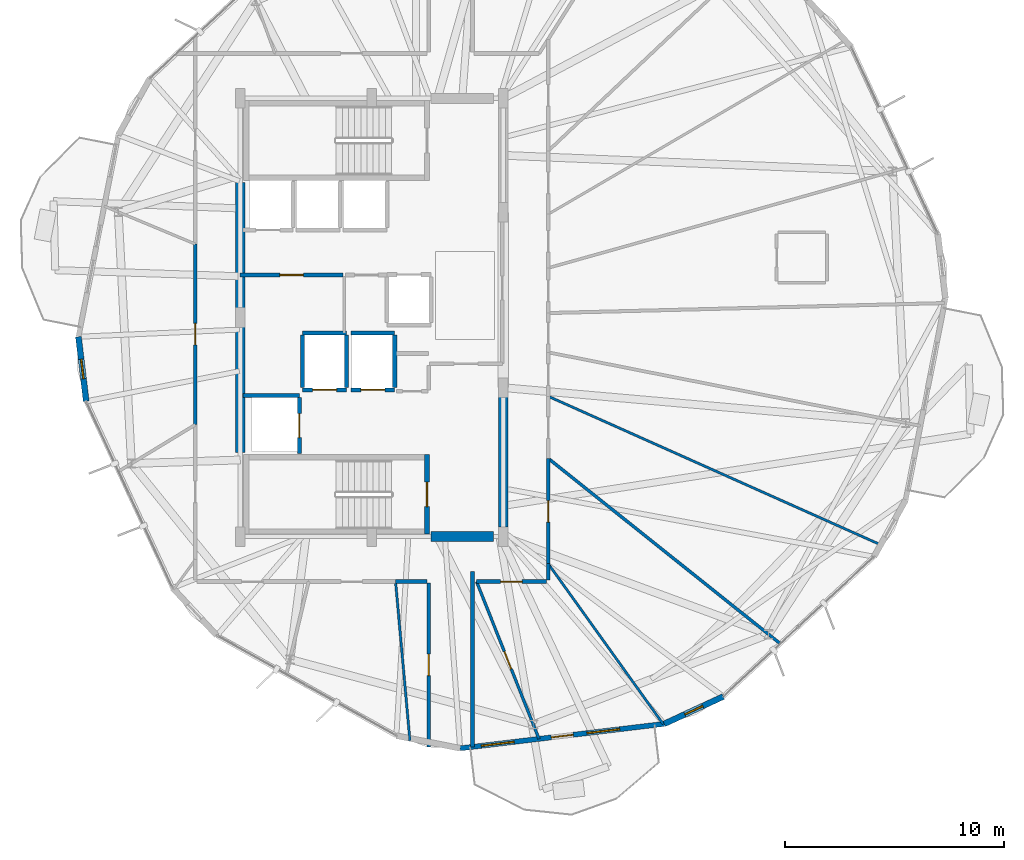
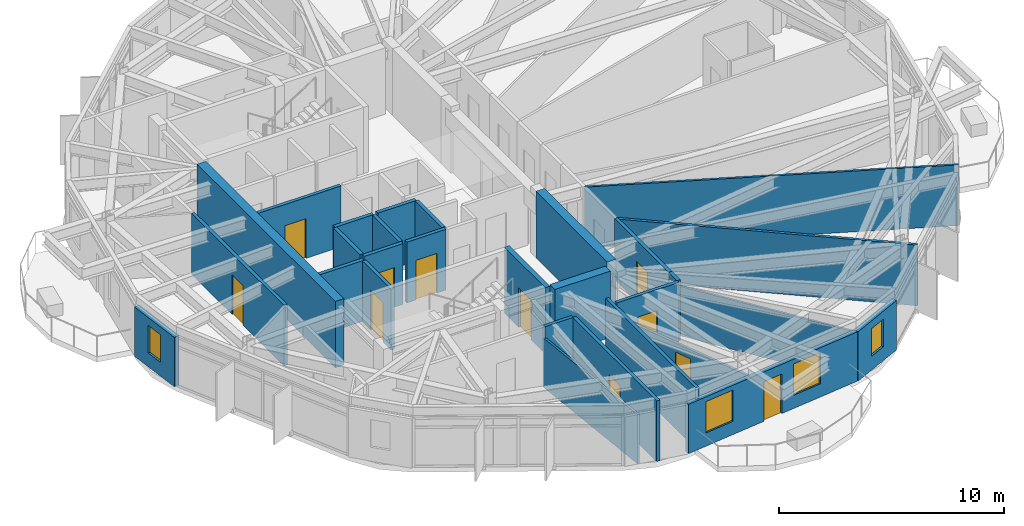
# One storey, part 19 of 25: 29 walls, 11 doors, 4 windows, 15 openings.
"""IFC4 building model written with IfcOpenShell, lengths in metres."""

from ifc_helpers import new_model, si_unit, direction, frame, frame_2d, origin, place, context, subcontext, project, spatial, rectangle, extrude, material, layer, layer_set, type_object, element, fill, save


model = new_model("IFC4")

# Units and contexts
model_context = context("Model", 3, precision=1e-05, world=origin(), true_north=direction((0.0, 1.0)))
body_context = subcontext(model_context, "Body", "Model", "MODEL_VIEW")
ifc_project = project(units=[si_unit("LENGTHUNIT", "METRE"), si_unit("AREAUNIT", "SQUARE_METRE"), si_unit("VOLUMEUNIT", "CUBIC_METRE"), si_unit("PLANEANGLEUNIT", "RADIAN"), si_unit("MASSUNIT", "GRAM", prefix="KILO")], contexts=[model_context])

# Site, building, storey
site_placement = place(None, origin())
site = spatial("IfcSite", under=ifc_project, at=site_placement, CompositionType="ELEMENT")
building_placement = place(site_placement, origin())
building = spatial("IfcBuilding", under=site, at=building_placement, Name="Soratama Intermodal Tower", CompositionType="ELEMENT")
storey_placement = place(building_placement, frame((0.0, 0.0, 190.60009765625)))
storey = spatial("IfcBuildingStorey", under=building, at=storey_placement, Name="L47", CompositionType="ELEMENT", Elevation=190.60009765625)

# Wall, openings, door, windows
ifc_material_1 = material(Name="Concrete f'c 42 MPa", Category="concrete")
ifc_layer_1 = layer(ifc_material_1, 0.22998046875)
ifc_layer_set_1 = layer_set([ifc_layer_1], Name="Concrete f'c 42 MPa")
wall_type_1 = type_object("IfcWallType", Name="EW-BAL-230", PredefinedType="SOLIDWALL", material=ifc_layer_set_1)
wall_1_placement = place(storey_placement, frame((42.633544921875, 5.340576171875, 0.0), z_axis=(0.0, 0.0, 1.0), x_axis=(0.992882132133, 0.119101098615, 0.0)))
wall_1 = element("IfcWall", 1, at=wall_1_placement, inside=storey, type_object=wall_type_1, Name="L47 Terrace Wall F07", PredefinedType="SOLIDWALL", context=body_context, shape_type="SweptSolid", body=[
    extrude(rectangle(XDim=9.38232421875, YDim=0.22998046875, at=frame_2d((4.691162109375, 0.0))), origin(), (0.0, 0.0, 1.0), 2.678955078125),
])
opening_1_placement = place(wall_1_placement, frame((4.191162109375, 0.0, 0.0)))
opening_1 = element("IfcOpeningElement", 2, at=opening_1_placement, cuts=wall_1, Name="Opening ED-2", PredefinedType="OPENING", context=body_context, shape_type="SweptSolid", body=[
    extrude(rectangle(XDim=1.0, YDim=2.14990234375, at=frame_2d((0.5, 1.074951171875))), frame((0.0, 0.125, 0.0), z_axis=(0.0, -1.0, 0.0), x_axis=(1.0, 0.0, 0.0)), (0.0, 0.0, 1.0), 0.25),
])
opening_2_placement = place(wall_1_placement, frame((0.97705078125, 0.0, 0.719970703125)))
opening_2 = element("IfcOpeningElement", 3, at=opening_2_placement, cuts=wall_1, Name="Opening WN-1", PredefinedType="OPENING", context=body_context, shape_type="SweptSolid", body=[
    extrude(rectangle(XDim=1.5, YDim=1.699951171875, at=frame_2d((0.75, 0.85009765625))), frame((0.0, 0.125, 0.0), z_axis=(0.0, -1.0, 0.0), x_axis=(1.0, 0.0, 0.0)), (0.0, 0.0, 1.0), 0.25),
])
opening_3_placement = place(wall_1_placement, frame((5.8310546875, 0.0, 0.719970703125)))
opening_3 = element("IfcOpeningElement", 4, at=opening_3_placement, cuts=wall_1, Name="Opening WN-1", PredefinedType="OPENING", context=body_context, shape_type="SweptSolid", body=[
    extrude(rectangle(XDim=1.5, YDim=1.699951171875, at=frame_2d((0.75, 0.85009765625))), frame((0.0, 0.125, 0.0), z_axis=(0.0, -1.0, 0.0), x_axis=(1.0, 0.0, 0.0)), (0.0, 0.0, 1.0), 0.25),
])
ifc_material_2 = material(Name="Double-glazed aluminium door", Category="aluminium")
door_type_1 = type_object("IfcDoorType", Name="DR-BAL-1000", OperationType="NOTDEFINED", PredefinedType="DOOR", material=ifc_material_2)
door_1_placement = place(opening_1_placement, origin())
door_1 = element("IfcDoor", 5, at=door_1_placement, inside=storey, type_object=door_type_1, Name="L47 Balcony Door F07", OperationType="SINGLE_SWING_LEFT", OverallHeight=2.14990234375, OverallWidth=1.0, PredefinedType="DOOR", context=body_context, shape_type="SweptSolid", body=[
    extrude(rectangle(XDim=1.0, YDim=2.14990234375, at=frame_2d((0.5, 1.074951171875))), frame((0.0, 0.02490234375, 0.0), z_axis=(0.0, -1.0, 0.0), x_axis=(1.0, 0.0, 0.0)), (0.0, 0.0, 1.0), 0.050048828125),
])
fill(opening_1, door_1)
ifc_material_3 = material(Name="Double-glazed aluminium window", Category="aluminium")
window_type_1 = type_object("IfcWindowType", Name="WN-FAC-1500", PartitioningType="SINGLE_PANEL", PredefinedType="WINDOW", material=ifc_material_3)
window_1_placement = place(opening_2_placement, origin())
window_1 = element("IfcWindow", 6, at=window_1_placement, inside=storey, type_object=window_type_1, Name="L47 Window A F07", OverallHeight=1.699951171875, OverallWidth=1.5, PartitioningType="SINGLE_PANEL", PredefinedType="WINDOW", context=body_context, shape_type="SweptSolid", body=[
    extrude(rectangle(XDim=1.5, YDim=1.699951171875, at=frame_2d((0.75, 0.85009765625))), frame((0.0, 0.030029296875, 0.0), z_axis=(0.0, -1.0, 0.0), x_axis=(1.0, 0.0, 0.0)), (0.0, 0.0, 1.0), 0.06005859375),
])
fill(opening_2, window_1)
window_2_placement = place(opening_3_placement, origin())
window_2 = element("IfcWindow", 7, at=window_2_placement, inside=storey, type_object=window_type_1, Name="L47 Window B F07", OverallHeight=1.699951171875, OverallWidth=1.5, PartitioningType="SINGLE_PANEL", PredefinedType="WINDOW", context=body_context, shape_type="SweptSolid", body=[
    extrude(rectangle(XDim=1.5, YDim=1.699951171875, at=frame_2d((0.75, 0.85009765625))), frame((0.0, 0.030029296875, 0.0), z_axis=(0.0, -1.0, 0.0), x_axis=(1.0, 0.0, 0.0)), (0.0, 0.0, 1.0), 0.06005859375),
])
fill(opening_3, window_2)

# Wall, opening, window
ifc_material_4 = material(Name="Concrete f'c 42 MPa", Category="concrete")
ifc_layer_2 = layer(ifc_material_4, 0.27001953125)
ifc_layer_set_2 = layer_set([ifc_layer_2], Name="Concrete f'c 42 MPa")
wall_type_2 = type_object("IfcWallType", Name="EW-CRN-270", PredefinedType="SOLIDWALL", material=ifc_layer_set_2)
wall_2_placement = place(storey_placement, frame((25.218017578125, 24.12109375, 0.0), z_axis=(0.0, 0.0, 1.0), x_axis=(0.119080319242, -0.9928846245, 0.0)))
wall_2 = element("IfcWall", 8, at=wall_2_placement, inside=storey, type_object=wall_type_2, Name="L47 Corner Closure Wall 04", PredefinedType="SOLIDWALL", context=body_context, shape_type="SweptSolid", body=[
    extrude(rectangle(XDim=2.966552734375, YDim=0.27001953125, at=frame_2d((1.4833984375, 0.0))), origin(), (0.0, 0.0, 1.0), 2.678955078125),
])
opening_4_placement = place(wall_2_placement, frame((1.033203125, 0.0, 0.75)))
opening_4 = element("IfcOpeningElement", 9, at=opening_4_placement, cuts=wall_2, Name="Opening WN-6", PredefinedType="OPENING", context=body_context, shape_type="SweptSolid", body=[
    extrude(rectangle(XDim=0.89990234375, YDim=1.5, at=frame_2d((0.449951171875, 0.75))), frame((0.0, 0.14501953125, 0.0), z_axis=(0.0, -1.0, 0.0), x_axis=(1.0, 0.0, 0.0)), (0.0, 0.0, 1.0), 0.2900390625),
])
ifc_material_5 = material(Name="Double-glazed aluminium window", Category="aluminium")
window_type_2 = type_object("IfcWindowType", Name="WN-FAC-900", PartitioningType="SINGLE_PANEL", PredefinedType="WINDOW", material=ifc_material_5)
window_3_placement = place(opening_4_placement, origin())
window_3 = element("IfcWindow", 10, at=window_3_placement, inside=storey, type_object=window_type_2, Name="L47 Corner Window 04", OverallHeight=1.5, OverallWidth=0.89990234375, PartitioningType="SINGLE_PANEL", PredefinedType="WINDOW", context=body_context, shape_type="SweptSolid", body=[
    extrude(rectangle(XDim=0.89990234375, YDim=1.5, at=frame_2d((0.449951171875, 0.75))), frame((0.0, 0.030029296875, 0.0), z_axis=(0.0, -1.0, 0.0), x_axis=(1.0, 0.0, 0.0)), (0.0, 0.0, 1.0), 0.06005859375),
])
fill(opening_4, window_3)

wall_3_placement = place(storey_placement, frame((51.948974609375, 6.4580078125, 0.0), z_axis=(0.0, 0.0, 1.0), x_axis=(0.907501185291, 0.420049519337, 0.0)))
wall_3 = element("IfcWall", 11, at=wall_3_placement, inside=storey, type_object=wall_type_2, Name="L47 Corner Closure Wall 07", PredefinedType="SOLIDWALL", context=body_context, shape_type="SweptSolid", body=[
    extrude(rectangle(XDim=2.966552734375, YDim=0.27001953125, at=frame_2d((1.4833984375, 0.0))), origin(), (0.0, 0.0, 1.0), 2.678955078125),
])
opening_5_placement = place(wall_3_placement, frame((1.033203125, 0.0, 0.75)))
opening_5 = element("IfcOpeningElement", 12, at=opening_5_placement, cuts=wall_3, Name="Opening WN-6", PredefinedType="OPENING", context=body_context, shape_type="SweptSolid", body=[
    extrude(rectangle(XDim=0.89990234375, YDim=1.5, at=frame_2d((0.449951171875, 0.75))), frame((0.0, 0.14501953125, 0.0), z_axis=(0.0, -1.0, 0.0), x_axis=(1.0, 0.0, 0.0)), (0.0, 0.0, 1.0), 0.2900390625),
])
window_4_placement = place(opening_5_placement, origin())
window_4 = element("IfcWindow", 13, at=window_4_placement, inside=storey, type_object=window_type_2, Name="L47 Corner Window 07", OverallHeight=1.5, OverallWidth=0.89990234375, PartitioningType="SINGLE_PANEL", PredefinedType="WINDOW", context=body_context, shape_type="SweptSolid", body=[
    extrude(rectangle(XDim=0.89990234375, YDim=1.5, at=frame_2d((0.449951171875, 0.75))), frame((0.0, 0.030029296875, 0.0), z_axis=(0.0, -1.0, 0.0), x_axis=(1.0, 0.0, 0.0)), (0.0, 0.0, 1.0), 0.06005859375),
])
fill(opening_5, window_4)

# Wall, opening, door
ifc_material_6 = material(Name="Fire-rated gypsum stud partition", Category="concrete")
ifc_layer_3 = layer(ifc_material_6, 0.169921875)
ifc_layer_set_3 = layer_set([ifc_layer_3], Name="Fire-rated gypsum stud partition")
wall_type_3 = type_object("IfcWallType", Name="IW-PART-R170", PredefinedType="PARTITIONING", material=ifc_layer_set_3)
wall_4_placement = place(storey_placement, frame((30.550048828125, 20.10595703125, 0.0), z_axis=(0.0, 0.0, 1.0), x_axis=(0.0, 1.0, 0.0)))
wall_4 = element("IfcWall", 14, at=wall_4_placement, inside=storey, type_object=wall_type_3, Name="L47 Partition W-L47-TP010", PredefinedType="PARTITIONING", context=body_context, shape_type="SweptSolid", body=[
    extrude(rectangle(XDim=8.2451171875, YDim=0.169921875, at=frame_2d((4.12255859375, 0.0))), origin(), (0.0, 0.0, 1.0), 3.2998046875),
])
opening_6_placement = place(wall_4_placement, frame((3.64697265625, 0.0, 0.0)))
opening_6 = element("IfcOpeningElement", 15, at=opening_6_placement, cuts=wall_4, Name="Opening ID-5", PredefinedType="OPENING", context=body_context, shape_type="SweptSolid", body=[
    extrude(rectangle(XDim=0.97998046875, YDim=2.14990234375, at=frame_2d((0.489990234375, 1.074951171875))), frame((0.0, 0.094970703125, 0.0), z_axis=(0.0, -1.0, 0.0), x_axis=(1.0, 0.0, 0.0)), (0.0, 0.0, 1.0), 0.18994140625),
])
ifc_material_7 = material(Name="Solid hardwood acoustic door", Category="wood")
door_type_2 = type_object("IfcDoorType", Name="DR-OFF-980", OperationType="NOTDEFINED", PredefinedType="DOOR", material=ifc_material_7)
door_2_placement = place(opening_6_placement, origin())
door_2 = element("IfcDoor", 16, at=door_2_placement, inside=storey, type_object=door_type_2, Name="L47 Door D-L47-TP002", OperationType="SINGLE_SWING_LEFT", OverallHeight=2.14990234375, OverallWidth=0.97998046875, PredefinedType="DOOR", context=body_context, shape_type="SweptSolid", body=[
    extrude(rectangle(XDim=0.97998046875, YDim=2.14990234375, at=frame_2d((0.489990234375, 1.074951171875))), frame((0.0, 0.02490234375, 0.0), z_axis=(0.0, -1.0, 0.0), x_axis=(1.0, 0.0, 0.0)), (0.0, 0.0, 1.0), 0.050048828125),
])
fill(opening_6, door_2)

wall_5_placement = place(storey_placement, frame((41.199951171875, 5.39501953125, 0.0), z_axis=(0.0, 0.0, 1.0), x_axis=(0.0, 1.0, 0.0)))
wall_5 = element("IfcWall", 17, at=wall_5_placement, inside=storey, type_object=wall_type_3, Name="L47 Partition W-L47-TP013", PredefinedType="PARTITIONING", context=body_context, shape_type="SweptSolid", body=[
    extrude(rectangle(XDim=7.48486328125, YDim=0.169921875, at=frame_2d((3.742431640625, 0.0))), origin(), (0.0, 0.0, 1.0), 3.2998046875),
])
opening_7_placement = place(wall_5_placement, frame((3.26806640625, 0.0, 0.0)))
opening_7 = element("IfcOpeningElement", 18, at=opening_7_placement, cuts=wall_5, Name="Opening ID-5", PredefinedType="OPENING", context=body_context, shape_type="SweptSolid", body=[
    extrude(rectangle(XDim=0.97998046875, YDim=2.14990234375, at=frame_2d((0.489990234375, 1.074951171875))), frame((0.0, 0.094970703125, 0.0), z_axis=(0.0, -1.0, 0.0), x_axis=(1.0, 0.0, 0.0)), (0.0, 0.0, 1.0), 0.18994140625),
])
door_3_placement = place(opening_7_placement, origin())
door_3 = element("IfcDoor", 19, at=door_3_placement, inside=storey, type_object=door_type_2, Name="L47 Door D-L47-TP003", OperationType="SINGLE_SWING_RIGHT", OverallHeight=2.14990234375, OverallWidth=0.97998046875, PredefinedType="DOOR", context=body_context, shape_type="SweptSolid", body=[
    extrude(rectangle(XDim=0.97998046875, YDim=2.14990234375, at=frame_2d((0.489990234375, 1.074951171875))), frame((0.0, 0.02490234375, 0.0), z_axis=(0.0, -1.0, 0.0), x_axis=(1.0, 0.0, 0.0)), (0.0, 0.0, 1.0), 0.050048828125),
])
fill(opening_7, door_3)

wall_6_placement = place(storey_placement, frame((46.64990234375, 18.572998046875, 0.0), z_axis=(0.0, 0.0, 1.0), x_axis=(0.0, -1.0, 0.0)))
wall_6 = element("IfcWall", 20, at=wall_6_placement, inside=storey, type_object=wall_type_3, Name="L47 Partition W-L47-TP022", PredefinedType="PARTITIONING", context=body_context, shape_type="SweptSolid", body=[
    extrude(rectangle(XDim=4.803955078125, YDim=0.169921875, at=frame_2d((2.40185546875, 0.0))), origin(), (0.0, 0.0, 1.0), 3.2998046875),
])
opening_8_placement = place(wall_6_placement, frame((1.927001953125, 0.0, 0.0)))
opening_8 = element("IfcOpeningElement", 21, at=opening_8_placement, cuts=wall_6, Name="Opening ID-5", PredefinedType="OPENING", context=body_context, shape_type="SweptSolid", body=[
    extrude(rectangle(XDim=0.97998046875, YDim=2.14990234375, at=frame_2d((0.489990234375, 1.074951171875))), frame((0.0, 0.094970703125, 0.0), z_axis=(0.0, -1.0, 0.0), x_axis=(1.0, 0.0, 0.0)), (0.0, 0.0, 1.0), 0.18994140625),
])
door_4_placement = place(opening_8_placement, origin())
door_4 = element("IfcDoor", 22, at=door_4_placement, inside=storey, type_object=door_type_2, Name="L47 Door D-L47-TP010", OperationType="SINGLE_SWING_LEFT", OverallHeight=2.14990234375, OverallWidth=0.97998046875, PredefinedType="DOOR", context=body_context, shape_type="SweptSolid", body=[
    extrude(rectangle(XDim=0.97998046875, YDim=2.14990234375, at=frame_2d((0.489990234375, 1.074951171875))), frame((0.0, 0.02490234375, 0.0), z_axis=(0.0, -1.0, 0.0), x_axis=(1.0, 0.0, 0.0)), (0.0, 0.0, 1.0), 0.050048828125),
])
fill(opening_8, door_4)

wall_7_placement = place(storey_placement, frame((37.2900390625, 26.93994140625, 0.0), z_axis=(0.0, 0.0, 1.0), x_axis=(-1.0, 0.0, 0.0)))
wall_7 = element("IfcWall", 23, at=wall_7_placement, inside=storey, type_object=wall_type_3, Name="L47 Partition W-L47-TP023", PredefinedType="PARTITIONING", context=body_context, shape_type="SweptSolid", body=[
    extrude(rectangle(XDim=4.68994140625, YDim=0.169921875, at=frame_2d((2.344970703125, 0.0))), origin(), (0.0, 0.0, 1.0), 3.2998046875),
])
opening_9_placement = place(wall_7_placement, frame((1.804931640625, 0.0, 0.0)))
opening_9 = element("IfcOpeningElement", 24, at=opening_9_placement, cuts=wall_7, Name="Opening ID-1", PredefinedType="OPENING", context=body_context, shape_type="SweptSolid", body=[
    extrude(rectangle(XDim=1.080078125, YDim=2.14990234375, at=frame_2d((0.5400390625, 1.074951171875))), frame((0.0, 0.094970703125, 0.0), z_axis=(0.0, -1.0, 0.0), x_axis=(1.0, 0.0, 0.0)), (0.0, 0.0, 1.0), 0.18994140625),
])
ifc_material_8 = material(Name="Solid hardwood acoustic door", Category="wood")
door_type_3 = type_object("IfcDoorType", Name="DR-LOB-FD60", OperationType="NOTDEFINED", PredefinedType="DOOR", material=ifc_material_8)
door_5_placement = place(opening_9_placement, origin())
door_5 = element("IfcDoor", 25, at=door_5_placement, inside=storey, type_object=door_type_3, Name="L47 Door D-L47-TP011", OperationType="SINGLE_SWING_RIGHT", OverallHeight=2.14990234375, OverallWidth=1.080078125, PredefinedType="DOOR", context=body_context, shape_type="SweptSolid", body=[
    extrude(rectangle(XDim=1.080078125, YDim=2.14990234375, at=frame_2d((0.5400390625, 1.074951171875))), frame((0.0, 0.02490234375, 0.0), z_axis=(0.0, -1.0, 0.0), x_axis=(1.0, 0.0, 0.0)), (0.0, 0.0, 1.0), 0.050048828125),
])
fill(opening_9, door_5)

wall_8_placement = place(storey_placement, frame((46.580078125, 12.949951171875, 0.0), z_axis=(0.0, 0.0, 1.0), x_axis=(-1.0, 0.0, 0.0)))
wall_8 = element("IfcWall", 26, at=wall_8_placement, inside=storey, type_object=wall_type_3, Name="L47 Partition W-L47-TP031", PredefinedType="PARTITIONING", context=body_context, shape_type="SweptSolid", body=[
    extrude(rectangle(XDim=3.197021484375, YDim=0.169921875, at=frame_2d((1.5986328125, 0.0))), origin(), (0.0, 0.0, 1.0), 3.2998046875),
])
opening_10_placement = place(wall_8_placement, frame((1.123046875, 0.0, 0.0)))
opening_10 = element("IfcOpeningElement", 27, at=opening_10_placement, cuts=wall_8, Name="Opening ID-5", PredefinedType="OPENING", context=body_context, shape_type="SweptSolid", body=[
    extrude(rectangle(XDim=0.97998046875, YDim=2.14990234375, at=frame_2d((0.489990234375, 1.074951171875))), frame((0.0, 0.094970703125, 0.0), z_axis=(0.0, -1.0, 0.0), x_axis=(1.0, 0.0, 0.0)), (0.0, 0.0, 1.0), 0.18994140625),
])
door_6_placement = place(opening_10_placement, origin())
door_6 = element("IfcDoor", 28, at=door_6_placement, inside=storey, type_object=door_type_2, Name="L47 Door D-L47-TP014", OperationType="SINGLE_SWING_LEFT", OverallHeight=2.14990234375, OverallWidth=0.97998046875, PredefinedType="DOOR", context=body_context, shape_type="SweptSolid", body=[
    extrude(rectangle(XDim=0.97998046875, YDim=2.14990234375, at=frame_2d((0.489990234375, 1.074951171875))), frame((0.0, 0.02490234375, 0.0), z_axis=(0.0, -1.0, 0.0), x_axis=(1.0, 0.0, 0.0)), (0.0, 0.0, 1.0), 0.050048828125),
])
fill(opening_10, door_6)

# Walls
wall_9_placement = place(storey_placement, frame((41.1298828125, 12.949951171875, 0.0), z_axis=(0.0, 0.0, 1.0), x_axis=(-1.0, 0.0, 0.0)))
element("IfcWall", 29, at=wall_9_placement, inside=storey, type_object=wall_type_3, Name="L47 Partition W-L47-TP046", PredefinedType="PARTITIONING", context=body_context, shape_type="SweptSolid", body=[
    extrude(rectangle(XDim=1.44287109375, YDim=0.169921875, at=frame_2d((0.721435546875, 0.0))), origin(), (0.0, 0.0, 1.0), 3.2998046875),
])
wall_10_placement = place(storey_placement, frame((46.64990234375, 13.76904296875, 0.0), z_axis=(0.0, 0.0, 1.0), x_axis=(0.0, -1.0, 0.0)))
element("IfcWall", 30, at=wall_10_placement, inside=storey, type_object=wall_type_3, Name="L47 Partition W-L47-TP050", PredefinedType="PARTITIONING", context=body_context, shape_type="SweptSolid", body=[
    extrude(rectangle(XDim=0.7490234375, YDim=0.169921875, at=frame_2d((0.37451171875, 0.0))), origin(), (0.0, 0.0, 1.0), 3.2998046875),
])
wall_11_placement = place(storey_placement, frame((43.199951171875, 13.410888671875, 0.0), z_axis=(0.0, 0.0, 1.0), x_axis=(0.0, -1.0, 0.0)))
element("IfcWall", 31, at=wall_11_placement, inside=storey, type_object=wall_type_3, Name="L47 Partition W-L47-TP051", PredefinedType="PARTITIONING", context=body_context, shape_type="SweptSolid", body=[
    extrude(rectangle(XDim=8.0029296875, YDim=0.169921875, at=frame_2d((4.00146484375, 0.0))), origin(), (0.0, 0.0, 1.0), 3.2998046875),
])
ifc_material_9 = material(Name="Fire-rated gypsum stud partition", Category="concrete")
ifc_layer_4 = layer(ifc_material_9, 0.110107421875)
ifc_layer_set_4 = layer_set([ifc_layer_4], Name="Fire-rated gypsum stud partition")
wall_type_4 = type_object("IfcWallType", Name="IW-PART-S110", PredefinedType="PARTITIONING", material=ifc_layer_set_4)
wall_12_placement = place(storey_placement, frame((46.64990234375, 21.405029296875, 0.0), z_axis=(0.0, 0.0, 1.0), x_axis=(0.913073615339, -0.4077947682, 0.0)))
element("IfcWall", 32, at=wall_12_placement, inside=storey, type_object=wall_type_4, Name="L47 Partition W-L47-TP004", PredefinedType="PARTITIONING", context=body_context, shape_type="SweptSolid", body=[
    extrude(rectangle(XDim=16.719482421875, YDim=0.110107421875, at=frame_2d((8.35986328125, 0.0))), origin(), (0.0, 0.0, 1.0), 3.2998046875),
])
wall_13_placement = place(storey_placement, frame((46.64990234375, 13.76904296875, 0.0), z_axis=(0.0, 0.0, 1.0), x_axis=(0.582553277152, -0.812792519207, 0.0)))
element("IfcWall", 33, at=wall_13_placement, inside=storey, type_object=wall_type_4, Name="L47 Partition W-L47-TP009", PredefinedType="PARTITIONING", context=body_context, shape_type="SweptSolid", body=[
    extrude(rectangle(XDim=9.003662109375, YDim=0.110107421875, at=frame_2d((4.501953125, 0.0))), origin(), (0.0, 0.0, 1.0), 2.677978515625),
])
wall_14_placement = place(storey_placement, frame((39.68701171875, 12.949951171875, 0.0), z_axis=(0.0, 0.0, 1.0), x_axis=(0.089835321786, -0.995956633072, 0.0)))
element("IfcWall", 34, at=wall_14_placement, inside=storey, type_object=wall_type_4, Name="L47 Partition W-L47-TP014", PredefinedType="PARTITIONING", context=body_context, shape_type="SweptSolid", body=[
    extrude(rectangle(XDim=7.29150390625, YDim=0.110107421875, at=frame_2d((3.645751953125, 0.0))), origin(), (0.0, 0.0, 1.0), 2.677978515625),
])

# Wall, opening, door
ifc_material_10 = material(Name="Fire-rated gypsum stud partition", Category="concrete")
ifc_layer_5 = layer(ifc_material_10, 0.1298828125)
ifc_layer_set_5 = layer_set([ifc_layer_5], Name="Fire-rated gypsum stud partition")
wall_type_5 = type_object("IfcWallType", Name="IW-PART-S130", PredefinedType="PARTITIONING", material=ifc_layer_set_5)
wall_15_placement = place(storey_placement, frame((43.383056640625, 12.949951171875, 0.0), z_axis=(0.0, 0.0, 1.0), x_axis=(0.3688984108, -0.929469721136, 0.0)))
wall_15 = element("IfcWall", 35, at=wall_15_placement, inside=storey, type_object=wall_type_5, Name="L47 Partition W-L47-TP012", PredefinedType="PARTITIONING", context=body_context, shape_type="SweptSolid", body=[
    extrude(rectangle(XDim=7.72265625, YDim=0.1298828125, at=frame_2d((3.861328125, 0.0))), origin(), (0.0, 0.0, 1.0), 2.594970703125),
])
opening_11_placement = place(wall_15_placement, frame((3.43603515625, 0.0, 0.0)))
opening_11 = element("IfcOpeningElement", 36, at=opening_11_placement, cuts=wall_15, Name="Opening ID-4", PredefinedType="OPENING", context=body_context, shape_type="SweptSolid", body=[
    extrude(rectangle(XDim=0.85009765625, YDim=2.10009765625, at=frame_2d((0.425048828125, 1.050048828125))), frame((0.0, 0.074951171875, 0.0), z_axis=(0.0, -1.0, 0.0), x_axis=(1.0, 0.0, 0.0)), (0.0, 0.0, 1.0), 0.14990234375),
])
ifc_material_11 = material(Name="Solid hardwood acoustic door", Category="wood")
door_type_4 = type_object("IfcDoorType", Name="DR-BATH-850", OperationType="NOTDEFINED", PredefinedType="DOOR", material=ifc_material_11)
door_7_placement = place(opening_11_placement, origin())
door_7 = element("IfcDoor", 37, at=door_7_placement, inside=storey, type_object=door_type_4, Name="L47 Door D-L47-TP024", OperationType="SINGLE_SWING_LEFT", OverallHeight=2.10009765625, OverallWidth=0.85009765625, PredefinedType="DOOR", context=body_context, shape_type="SweptSolid", body=[
    extrude(rectangle(XDim=0.85009765625, YDim=2.10009765625, at=frame_2d((0.425048828125, 1.050048828125))), frame((0.0, 0.02490234375, 0.0), z_axis=(0.0, -1.0, 0.0), x_axis=(1.0, 0.0, 0.0)), (0.0, 0.0, 1.0), 0.050048828125),
])
fill(opening_11, door_7)

# Wall
ifc_material_12 = material(Name="Fire-rated gypsum stud partition", Category="concrete")
ifc_layer_6 = layer(ifc_material_12, 0.139892578125)
ifc_layer_set_6 = layer_set([ifc_layer_6], Name="Fire-rated gypsum stud partition")
wall_type_6 = type_object("IfcWallType", Name="IW-PART-S140", PredefinedType="PARTITIONING", material=ifc_layer_set_6)
wall_16_placement = place(storey_placement, frame((46.64990234375, 18.572998046875, 0.0), z_axis=(0.0, 0.0, 1.0), x_axis=(0.781465935212, -0.623947908165, 0.0)))
element("IfcWall", 38, at=wall_16_placement, inside=storey, type_object=wall_type_6, Name="L47 Partition W-L47-TP006", PredefinedType="PARTITIONING", context=body_context, shape_type="SweptSolid", body=[
    extrude(rectangle(XDim=13.553955078125, YDim=0.139892578125, at=frame_2d((6.77685546875, 0.0))), origin(), (0.0, 0.0, 1.0), 3.2998046875),
])

# Wall, opening, door
ifc_material_13 = material(Name="Concrete f'c 42 MPa", Category="concrete")
ifc_layer_7 = layer(ifc_material_13, 0.18505859375)
ifc_layer_set_7 = layer_set([ifc_layer_7], Name="Concrete f'c 42 MPa")
wall_type_7 = type_object("IfcWallType", Name="IW-SHAFT-185", PredefinedType="SOLIDWALL", material=ifc_layer_set_7)
wall_17_placement = place(storey_placement, frame((35.449951171875, 21.699951171875, 0.0), z_axis=(0.0, 0.0, 1.0), x_axis=(1.0, 0.0, 0.0)))
wall_17 = element("IfcWall", 39, at=wall_17_placement, inside=storey, type_object=wall_type_7, Name="L47 FFL-1 Hoistway Wall S", PredefinedType="SOLIDWALL", context=body_context, shape_type="SweptSolid", body=[
    extrude(rectangle(XDim=2.0, YDim=0.18505859375, at=frame_2d((1.0, 0.0))), origin(), (0.0, 0.0, 1.0), 3.2998046875),
])
opening_12_placement = place(wall_17_placement, frame((0.449951171875, 0.0, 0.0)))
opening_12 = element("IfcOpeningElement", 40, at=opening_12_placement, cuts=wall_17, Name="Opening LD-1", PredefinedType="OPENING", context=body_context, shape_type="SweptSolid", body=[
    extrude(rectangle(XDim=1.10009765625, YDim=2.14990234375, at=frame_2d((0.550048828125, 1.074951171875))), frame((0.0, 0.1025390625, 0.0), z_axis=(0.0, -1.0, 0.0), x_axis=(1.0, 0.0, 0.0)), (0.0, 0.0, 1.0), 0.205078125),
])
ifc_material_14 = material(Name="Steel fire door", Category="steel")
door_type_5 = type_object("IfcDoorType", Name="DR-LIFT-SLIDE", OperationType="NOTDEFINED", PredefinedType="DOOR", material=ifc_material_14)
door_8_placement = place(opening_12_placement, origin())
door_8 = element("IfcDoor", 41, at=door_8_placement, inside=storey, type_object=door_type_5, Name="L47 FFL-1 Sliding Landing Door", OperationType="SLIDING_TO_LEFT", OverallHeight=2.14990234375, OverallWidth=1.10009765625, PredefinedType="DOOR", context=body_context, shape_type="SweptSolid", body=[
    extrude(rectangle(XDim=1.10009765625, YDim=2.14990234375, at=frame_2d((0.550048828125, 1.074951171875))), frame((0.0, 0.02490234375, 0.0), z_axis=(0.0, -1.0, 0.0), x_axis=(1.0, 0.0, 0.0)), (0.0, 0.0, 1.0), 0.050048828125),
])
fill(opening_12, door_8)

# Walls
wall_18_placement = place(storey_placement, frame((35.449951171875, 24.300048828125, 0.0), z_axis=(0.0, 0.0, 1.0), x_axis=(1.0, 0.0, 0.0)))
element("IfcWall", 42, at=wall_18_placement, inside=storey, type_object=wall_type_7, Name="L47 FFL-1 Hoistway Wall N", PredefinedType="SOLIDWALL", context=body_context, shape_type="SweptSolid", body=[
    extrude(rectangle(XDim=2.0, YDim=0.18505859375, at=frame_2d((1.0, 0.0))), origin(), (0.0, 0.0, 1.0), 3.2998046875),
])
for number, where, z_axis, x_axis, name in (
    (43, (35.449951171875, 21.81005859375, 0.0), (0.0, 0.0, 1.0), (0.0, 1.0, 0.0), "L47 FFL-1 Hoistway Wall W"),
    (44, (37.449951171875, 21.81005859375, 0.0), (0.0, 0.0, 1.0), (0.0, 1.0, 0.0), "L47 FFL-1 Hoistway Wall E"),
):
    element("IfcWall", number, at=place(storey_placement, frame(where, z_axis=z_axis, x_axis=x_axis)), inside=storey, type_object=wall_type_7, Name=name, PredefinedType="SOLIDWALL", context=body_context, shape_type="SweptSolid", body=[
        extrude(rectangle(XDim=2.3798828125, YDim=0.18505859375, at=frame_2d((1.18994140625, 0.0))), origin(), (0.0, 0.0, 1.0), 3.2998046875),
    ])

# Wall, opening, door
wall_19_placement = place(storey_placement, frame((37.64990234375, 21.699951171875, 0.0), z_axis=(0.0, 0.0, 1.0), x_axis=(1.0, 0.0, 0.0)))
wall_19 = element("IfcWall", 45, at=wall_19_placement, inside=storey, type_object=wall_type_7, Name="L47 FFL-2 Hoistway Wall S", PredefinedType="SOLIDWALL", context=body_context, shape_type="SweptSolid", body=[
    extrude(rectangle(XDim=2.0, YDim=0.18505859375, at=frame_2d((1.0, 0.0))), origin(), (0.0, 0.0, 1.0), 3.2998046875),
])
opening_13_placement = place(wall_19_placement, frame((0.449951171875, 0.0, 0.0)))
opening_13 = element("IfcOpeningElement", 46, at=opening_13_placement, cuts=wall_19, Name="Opening LD-1", PredefinedType="OPENING", context=body_context, shape_type="SweptSolid", body=[
    extrude(rectangle(XDim=1.10009765625, YDim=2.14990234375, at=frame_2d((0.550048828125, 1.074951171875))), frame((0.0, 0.1025390625, 0.0), z_axis=(0.0, -1.0, 0.0), x_axis=(1.0, 0.0, 0.0)), (0.0, 0.0, 1.0), 0.205078125),
])
door_9_placement = place(opening_13_placement, origin())
door_9 = element("IfcDoor", 47, at=door_9_placement, inside=storey, type_object=door_type_5, Name="L47 FFL-2 Sliding Landing Door", OperationType="SLIDING_TO_LEFT", OverallHeight=2.14990234375, OverallWidth=1.10009765625, PredefinedType="DOOR", context=body_context, shape_type="SweptSolid", body=[
    extrude(rectangle(XDim=1.10009765625, YDim=2.14990234375, at=frame_2d((0.550048828125, 1.074951171875))), frame((0.0, 0.02490234375, 0.0), z_axis=(0.0, -1.0, 0.0), x_axis=(1.0, 0.0, 0.0)), (0.0, 0.0, 1.0), 0.050048828125),
])
fill(opening_13, door_9)

# Walls
wall_20_placement = place(storey_placement, frame((37.64990234375, 24.300048828125, 0.0), z_axis=(0.0, 0.0, 1.0), x_axis=(1.0, 0.0, 0.0)))
element("IfcWall", 48, at=wall_20_placement, inside=storey, type_object=wall_type_7, Name="L47 FFL-2 Hoistway Wall N", PredefinedType="SOLIDWALL", context=body_context, shape_type="SweptSolid", body=[
    extrude(rectangle(XDim=2.0, YDim=0.18505859375, at=frame_2d((1.0, 0.0))), origin(), (0.0, 0.0, 1.0), 3.2998046875),
])
wall_21_placement = place(storey_placement, frame((39.64990234375, 21.81005859375, 0.0), z_axis=(0.0, 0.0, 1.0), x_axis=(0.0, 1.0, 0.0)))
element("IfcWall", 49, at=wall_21_placement, inside=storey, type_object=wall_type_7, Name="L47 FFL-2 Hoistway Wall E", PredefinedType="SOLIDWALL", context=body_context, shape_type="SweptSolid", body=[
    extrude(rectangle(XDim=2.3798828125, YDim=0.18505859375, at=frame_2d((1.18994140625, 0.0))), origin(), (0.0, 0.0, 1.0), 3.2998046875),
])
wall_22_placement = place(storey_placement, frame((32.719970703125, 21.449951171875, 0.0), z_axis=(0.0, 0.0, 1.0), x_axis=(1.0, 0.0, 0.0)))
element("IfcWall", 50, at=wall_22_placement, inside=storey, type_object=wall_type_7, Name="L47 SVL-1 Hoistway Wall N", PredefinedType="SOLIDWALL", context=body_context, shape_type="SweptSolid", body=[
    extrude(rectangle(XDim=2.580078125, YDim=0.18505859375, at=frame_2d((1.2900390625, 0.0))), origin(), (0.0, 0.0, 1.0), 3.2998046875),
])

# Wall, opening, door
wall_23_placement = place(storey_placement, frame((35.300048828125, 18.7900390625, 0.0), z_axis=(0.0, 0.0, 1.0), x_axis=(0.0, 1.0, 0.0)))
wall_23 = element("IfcWall", 51, at=wall_23_placement, inside=storey, type_object=wall_type_7, Name="L47 SVL-1 Hoistway Wall E", PredefinedType="SOLIDWALL", context=body_context, shape_type="SweptSolid", body=[
    extrude(rectangle(XDim=2.550048828125, YDim=0.18505859375, at=frame_2d((1.27490234375, 0.0))), origin(), (0.0, 0.0, 1.0), 3.2998046875),
])
opening_14_placement = place(wall_23_placement, frame((0.72509765625, 0.0, 0.0)))
opening_14 = element("IfcOpeningElement", 52, at=opening_14_placement, cuts=wall_23, Name="Opening LD-1", PredefinedType="OPENING", context=body_context, shape_type="SweptSolid", body=[
    extrude(rectangle(XDim=1.10009765625, YDim=2.14990234375, at=frame_2d((0.550048828125, 1.074951171875))), frame((0.0, 0.1025390625, 0.0), z_axis=(0.0, -1.0, 0.0), x_axis=(1.0, 0.0, 0.0)), (0.0, 0.0, 1.0), 0.205078125),
])
door_10_placement = place(opening_14_placement, origin())
door_10 = element("IfcDoor", 53, at=door_10_placement, inside=storey, type_object=door_type_5, Name="L47 SVL-1 Sliding Landing Door", OperationType="SLIDING_TO_LEFT", OverallHeight=2.14990234375, OverallWidth=1.10009765625, PredefinedType="DOOR", context=body_context, shape_type="SweptSolid", body=[
    extrude(rectangle(XDim=1.10009765625, YDim=2.14990234375, at=frame_2d((0.550048828125, 1.074951171875))), frame((0.0, 0.02490234375, 0.0), z_axis=(0.0, -1.0, 0.0), x_axis=(1.0, 0.0, 0.0)), (0.0, 0.0, 1.0), 0.050048828125),
])
fill(opening_14, door_10)

# Walls
ifc_material_15 = material(Name="Concrete f'c 56 MPa", Category="concrete")
ifc_layer_8 = layer(ifc_material_15, 0.449951171875)
ifc_layer_set_8 = layer_set([ifc_layer_8], Name="Concrete f'c 56 MPa")
wall_type_8 = type_object("IfcWallType", Name="SW-CORE-450", PredefinedType="SHEAR", material=ifc_layer_set_8)
wall_24_placement = place(storey_placement, frame((32.60009765625, 18.85009765625, 0.0), z_axis=(0.0, 0.0, 1.0), x_axis=(0.0, 1.0, 0.0)))
element("IfcWall", 54, at=wall_24_placement, inside=storey, type_object=wall_type_8, Name="L47 Core Shear Wall CW-WMID", PredefinedType="SHEAR", context=body_context, shape_type="SweptSolid", body=[
    extrude(rectangle(XDim=12.2998046875, YDim=0.449951171875, at=frame_2d((6.14990234375, 0.0))), origin(), (0.0, 0.0, 1.0), 3.599853515625),
])
wall_25_placement = place(storey_placement, frame((41.300048828125, 15.0, 0.0), z_axis=(0.0, 0.0, 1.0), x_axis=(1.0, 0.0, 0.0)))
element("IfcWall", 55, at=wall_25_placement, inside=storey, type_object=wall_type_8, Name="L47 Core Shear Wall CW-SE", PredefinedType="SHEAR", context=body_context, shape_type="SweptSolid", body=[
    extrude(rectangle(XDim=2.849853515625, YDim=0.449951171875, at=frame_2d((1.4248046875, 0.0))), origin(), (0.0, 0.0, 1.0), 3.599853515625),
])
wall_26_placement = place(storey_placement, frame((44.60009765625, 15.449951171875, 0.0), z_axis=(0.0, 0.0, 1.0), x_axis=(0.0, 1.0, 0.0)))
element("IfcWall", 56, at=wall_26_placement, inside=storey, type_object=wall_type_8, Name="L47 Core Shear Wall CW-ES", PredefinedType="SHEAR", context=body_context, shape_type="SweptSolid", body=[
    extrude(rectangle(XDim=6.35009765625, YDim=0.449951171875, at=frame_2d((3.175048828125, 0.0))), origin(), (0.0, 0.0, 1.0), 3.599853515625),
])

# Wall, opening, door
ifc_material_16 = material(Name="Concrete f'c 56 MPa", Category="concrete")
ifc_layer_9 = layer(ifc_material_16, 0.239990234375)
ifc_layer_set_9 = layer_set([ifc_layer_9], Name="Concrete f'c 56 MPa")
wall_type_9 = type_object("IfcWallType", Name="SW-STAIR-240", PredefinedType="SHEAR", material=ifc_layer_set_9)
wall_27_placement = place(storey_placement, frame((41.1201171875, 15.110107421875, 0.0), z_axis=(0.0, 0.0, 1.0), x_axis=(0.0, 1.0, 0.0)))
wall_27 = element("IfcWall", 57, at=wall_27_placement, inside=storey, type_object=wall_type_9, Name="L47 ST-1 Shaft Shear Wall E", PredefinedType="SHEAR", context=body_context, shape_type="SweptSolid", body=[
    extrude(rectangle(XDim=3.6298828125, YDim=0.239990234375, at=frame_2d((1.81494140625, 0.0))), origin(), (0.0, 0.0, 1.0), 3.599853515625),
])
opening_15_placement = place(wall_27_placement, frame((1.2548828125, 0.0, 0.0)))
opening_15 = element("IfcOpeningElement", 58, at=opening_15_placement, cuts=wall_27, Name="Opening SD-1", PredefinedType="OPENING", context=body_context, shape_type="SweptSolid", body=[
    extrude(rectangle(XDim=1.1201171875, YDim=2.14990234375, at=frame_2d((0.56005859375, 1.074951171875))), frame((0.0, 0.1298828125, 0.0), z_axis=(0.0, -1.0, 0.0), x_axis=(1.0, 0.0, 0.0)), (0.0, 0.0, 1.0), 0.260009765625),
])
ifc_material_17 = material(Name="Steel fire door", Category="steel")
door_type_6 = type_object("IfcDoorType", Name="DR-STAIR-FD90", OperationType="NOTDEFINED", PredefinedType="DOOR", material=ifc_material_17)
door_11_placement = place(opening_15_placement, origin())
door_11 = element("IfcDoor", 59, at=door_11_placement, inside=storey, type_object=door_type_6, Name="L47 ST-1 Exit Stair Door", OperationType="SINGLE_SWING_LEFT", OverallHeight=2.14990234375, OverallWidth=1.1201171875, PredefinedType="DOOR", context=body_context, shape_type="SweptSolid", body=[
    extrude(rectangle(XDim=1.1201171875, YDim=2.14990234375, at=frame_2d((0.56005859375, 1.074951171875))), frame((0.0, 0.02490234375, 0.0), z_axis=(0.0, -1.0, 0.0), x_axis=(1.0, 0.0, 0.0)), (0.0, 0.0, 1.0), 0.050048828125),
])
fill(opening_15, door_11)

save(model, "model.ifc")
